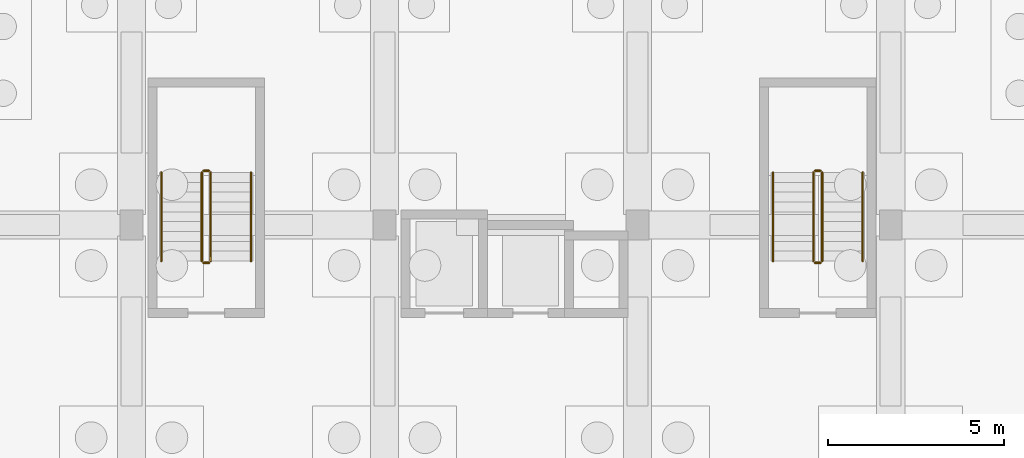
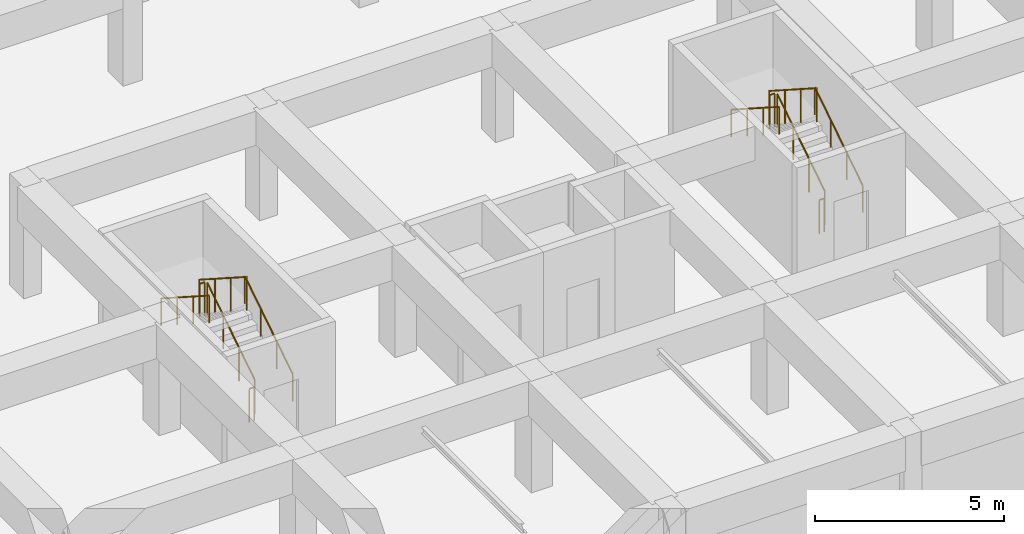
# One storey, part 34 of 36: 12 railings.
"""IFC4 building model written with IfcOpenShell, lengths in metres."""

from ifc_helpers import new_model, si_unit, direction, frame, origin, origin_2d, place, context, subcontext, project, spatial, circle, extrude, material, type_object, element, save


model = new_model("IFC4")

# Units and contexts
model_context = context("Model", 3, precision=1e-05, world=origin(), true_north=direction((0.0, 1.0)))
body_context = subcontext(model_context, "Body", "Model", "MODEL_VIEW")
ifc_project = project(units=[si_unit("LENGTHUNIT", "METRE"), si_unit("AREAUNIT", "SQUARE_METRE"), si_unit("VOLUMEUNIT", "CUBIC_METRE"), si_unit("PLANEANGLEUNIT", "RADIAN"), si_unit("MASSUNIT", "GRAM", prefix="KILO")], contexts=[model_context])

# Site, building, storey
site_placement = place(None, origin())
site = spatial("IfcSite", under=ifc_project, at=site_placement, CompositionType="ELEMENT")
building_placement = place(site_placement, origin())
building = spatial("IfcBuilding", under=site, at=building_placement, Name="Ochrevale Crest", CompositionType="ELEMENT")
storey_placement = place(building_placement, frame((0.0, 0.0, -3.60009765625)))
storey = spatial("IfcBuildingStorey", under=building, at=storey_placement, Name="B1", CompositionType="ELEMENT", Elevation=-3.60009765625)

# Railings
ifc_material_1 = material(Name="Galvanised steel", Category="steel")
railing_type_1 = type_object("IfcRailingType", Name="RL-ST-GUARD", PredefinedType="BALUSTRADE", material=ifc_material_1)
railing_1_placement = place(storey_placement, frame((139.050048828125, 27.77490234375, 0.18017578125)))
element("IfcRailing", 1, at=railing_1_placement, inside=storey, type_object=railing_type_1, Name="B1 ST-C1 stair guard 1", PredefinedType="BALUSTRADE", context=body_context, shape_type="SweptSolid", body=[
    extrude(circle(Radius=0.02392578125, at=origin_2d()), frame((0.0, 0.0, 1.076171875), z_axis=(0.0, 0.841199657755, 0.540724639528), x_axis=(-1.0, 0.0, 0.0)), (0.0, 0.0, 1.0), 2.995849609375),
    extrude(circle(Radius=0.02099609375, at=origin_2d()), origin(), (0.0, 0.0, 1.0), 1.052001953125),
    extrude(circle(Radius=0.02099609375, at=origin_2d()), frame((0.0, 0.840087890625, 0.5400390625)), (0.0, 0.0, 1.0), 1.052001953125),
    extrude(circle(Radius=0.02099609375, at=origin_2d()), frame((0.0, 1.679931640625, 1.079833984375)), (0.0, 0.0, 1.0), 1.052001953125),
    extrude(circle(Radius=0.02099609375, at=origin_2d()), frame((0.0, 2.52001953125, 1.619873046875)), (0.0, 0.0, 1.0), 1.052001953125),
])
railing_2_placement = place(storey_placement, frame((139.0, 30.344970703125, 1.800048828125)))
element("IfcRailing", 2, at=railing_2_placement, inside=storey, type_object=railing_type_1, Name="B1 ST-C1 stair guard 2", PredefinedType="BALUSTRADE", context=body_context, shape_type="SweptSolid", body=[
    extrude(circle(Radius=0.02392578125, at=origin_2d()), frame((0.0, 0.0, 1.076171875), z_axis=(-1.0, 0.0, 0.0), x_axis=(0.0, -1.0, 0.0)), (0.0, 0.0, 1.0), 0.14990234375),
    extrude(circle(Radius=0.02099609375, at=origin_2d()), origin(), (0.0, 0.0, 1.0), 1.052001953125),
    extrude(circle(Radius=0.02099609375, at=origin_2d()), frame((-0.14990234375, 0.0, 0.0)), (0.0, 0.0, 1.0), 1.052001953125),
])
railing_3_placement = place(storey_placement, frame((138.800048828125, 30.294921875, 1.97998046875)))
element("IfcRailing", 3, at=railing_3_placement, inside=storey, type_object=railing_type_1, Name="B1 ST-C1 stair guard 3", PredefinedType="BALUSTRADE", context=body_context, shape_type="SweptSolid", body=[
    extrude(circle(Radius=0.02392578125, at=origin_2d()), frame((0.0, 0.0, 1.076171875), z_axis=(0.0, -0.841162588446, 0.540782303519), x_axis=(1.0, 0.0, 0.0)), (0.0, 0.0, 1.0), 2.995849609375),
    extrude(circle(Radius=0.02099609375, at=origin_2d()), origin(), (0.0, 0.0, 1.0), 1.052001953125),
    extrude(circle(Radius=0.02099609375, at=origin_2d()), frame((0.0, -0.840087890625, 0.5400390625)), (0.0, 0.0, 1.0), 1.052001953125),
    extrude(circle(Radius=0.02099609375, at=origin_2d()), frame((0.0, -1.679931640625, 1.080078125)), (0.0, 0.0, 1.0), 1.052001953125),
    extrude(circle(Radius=0.02099609375, at=origin_2d()), frame((0.0, -2.52001953125, 1.6201171875)), (0.0, 0.0, 1.0), 1.052001953125),
])
railing_4_placement = place(storey_placement, frame((139.0, 27.72509765625, 0.0)))
element("IfcRailing", 4, at=railing_4_placement, inside=storey, type_object=railing_type_1, Name="B1 ST-C1 stair guard 4", PredefinedType="BALUSTRADE", context=body_context, shape_type="SweptSolid", body=[
    extrude(circle(Radius=0.02392578125, at=origin_2d()), frame((0.0, 0.0, 1.076171875), z_axis=(-1.0, 0.0, 0.0), x_axis=(0.0, -1.0, 0.0)), (0.0, 0.0, 1.0), 0.14990234375),
    extrude(circle(Radius=0.02099609375, at=origin_2d()), origin(), (0.0, 0.0, 1.0), 1.052001953125),
    extrude(circle(Radius=0.02099609375, at=origin_2d()), frame((-0.14990234375, 0.0, 0.0)), (0.0, 0.0, 1.0), 1.052001953125),
])
railing_5_placement = place(storey_placement, frame((156.449951171875, 27.77490234375, 0.18017578125)))
element("IfcRailing", 5, at=railing_5_placement, inside=storey, type_object=railing_type_1, Name="B1 ST-C2 stair guard 1", PredefinedType="BALUSTRADE", context=body_context, shape_type="SweptSolid", body=[
    extrude(circle(Radius=0.02392578125, at=origin_2d()), frame((0.0, 0.0, 1.076171875), z_axis=(0.0, 0.841199657755, 0.540724639528), x_axis=(-1.0, 0.0, 0.0)), (0.0, 0.0, 1.0), 2.995849609375),
    extrude(circle(Radius=0.02099609375, at=origin_2d()), origin(), (0.0, 0.0, 1.0), 1.052001953125),
    extrude(circle(Radius=0.02099609375, at=origin_2d()), frame((0.0, 0.840087890625, 0.5400390625)), (0.0, 0.0, 1.0), 1.052001953125),
    extrude(circle(Radius=0.02099609375, at=origin_2d()), frame((0.0, 1.679931640625, 1.079833984375)), (0.0, 0.0, 1.0), 1.052001953125),
    extrude(circle(Radius=0.02099609375, at=origin_2d()), frame((0.0, 2.52001953125, 1.619873046875)), (0.0, 0.0, 1.0), 1.052001953125),
])
railing_6_placement = place(storey_placement, frame((156.39990234375, 30.344970703125, 1.800048828125)))
element("IfcRailing", 6, at=railing_6_placement, inside=storey, type_object=railing_type_1, Name="B1 ST-C2 stair guard 2", PredefinedType="BALUSTRADE", context=body_context, shape_type="SweptSolid", body=[
    extrude(circle(Radius=0.02392578125, at=origin_2d()), frame((0.0, 0.0, 1.076171875), z_axis=(-1.0, 0.0, 0.0), x_axis=(0.0, -1.0, 0.0)), (0.0, 0.0, 1.0), 0.14990234375),
    extrude(circle(Radius=0.02099609375, at=origin_2d()), origin(), (0.0, 0.0, 1.0), 1.052001953125),
    extrude(circle(Radius=0.02099609375, at=origin_2d()), frame((-0.14990234375, 0.0, 0.0)), (0.0, 0.0, 1.0), 1.052001953125),
])
railing_7_placement = place(storey_placement, frame((156.199951171875, 30.294921875, 1.97998046875)))
element("IfcRailing", 7, at=railing_7_placement, inside=storey, type_object=railing_type_1, Name="B1 ST-C2 stair guard 3", PredefinedType="BALUSTRADE", context=body_context, shape_type="SweptSolid", body=[
    extrude(circle(Radius=0.02392578125, at=origin_2d()), frame((0.0, 0.0, 1.076171875), z_axis=(0.0, -0.841162588446, 0.540782303519), x_axis=(1.0, 0.0, 0.0)), (0.0, 0.0, 1.0), 2.995849609375),
    extrude(circle(Radius=0.02099609375, at=origin_2d()), origin(), (0.0, 0.0, 1.0), 1.052001953125),
    extrude(circle(Radius=0.02099609375, at=origin_2d()), frame((0.0, -0.840087890625, 0.5400390625)), (0.0, 0.0, 1.0), 1.052001953125),
    extrude(circle(Radius=0.02099609375, at=origin_2d()), frame((0.0, -1.679931640625, 1.080078125)), (0.0, 0.0, 1.0), 1.052001953125),
    extrude(circle(Radius=0.02099609375, at=origin_2d()), frame((0.0, -2.52001953125, 1.6201171875)), (0.0, 0.0, 1.0), 1.052001953125),
])
railing_8_placement = place(storey_placement, frame((156.39990234375, 27.72509765625, 0.0)))
element("IfcRailing", 8, at=railing_8_placement, inside=storey, type_object=railing_type_1, Name="B1 ST-C2 stair guard 4", PredefinedType="BALUSTRADE", context=body_context, shape_type="SweptSolid", body=[
    extrude(circle(Radius=0.02392578125, at=origin_2d()), frame((0.0, 0.0, 1.076171875), z_axis=(-1.0, 0.0, 0.0), x_axis=(0.0, -1.0, 0.0)), (0.0, 0.0, 1.0), 0.14990234375),
    extrude(circle(Radius=0.02099609375, at=origin_2d()), origin(), (0.0, 0.0, 1.0), 1.052001953125),
    extrude(circle(Radius=0.02099609375, at=origin_2d()), frame((-0.14990234375, 0.0, 0.0)), (0.0, 0.0, 1.0), 1.052001953125),
])
ifc_material_2 = material(Name="Stainless steel", Category="steel")
railing_type_2 = type_object("IfcRailingType", Name="RL-ST-HRAIL", PredefinedType="HANDRAIL", material=ifc_material_2)
railing_9_placement = place(storey_placement, frame((140.199951171875, 27.77490234375, 0.18017578125)))
element("IfcRailing", 9, at=railing_9_placement, inside=storey, type_object=railing_type_2, Name="B1 ST-C1 stair handrail 1", PredefinedType="HANDRAIL", context=body_context, shape_type="SweptSolid", body=[
    extrude(circle(Radius=0.02392578125, at=origin_2d()), frame((0.0, 0.0, 0.8759765625), z_axis=(0.0, 0.841199657755, 0.540724639528), x_axis=(-1.0, 0.0, 0.0)), (0.0, 0.0, 1.0), 2.995849609375),
    extrude(circle(Radius=0.02099609375, at=origin_2d()), origin(), (0.0, 0.0, 1.0), 0.851806640625),
    extrude(circle(Radius=0.02099609375, at=origin_2d()), frame((0.0, 0.840087890625, 0.5400390625)), (0.0, 0.0, 1.0), 0.851806640625),
    extrude(circle(Radius=0.02099609375, at=origin_2d()), frame((0.0, 1.679931640625, 1.079833984375)), (0.0, 0.0, 1.0), 0.851806640625),
    extrude(circle(Radius=0.02099609375, at=origin_2d()), frame((0.0, 2.52001953125, 1.619873046875)), (0.0, 0.0, 1.0), 0.851806640625),
])
railing_10_placement = place(storey_placement, frame((137.64990234375, 30.294921875, 1.97998046875)))
element("IfcRailing", 10, at=railing_10_placement, inside=storey, type_object=railing_type_2, Name="B1 ST-C1 stair handrail 2", PredefinedType="HANDRAIL", context=body_context, shape_type="SweptSolid", body=[
    extrude(circle(Radius=0.02392578125, at=origin_2d()), frame((0.0, 0.0, 0.8759765625), z_axis=(0.0, -0.841162588446, 0.540782303519), x_axis=(1.0, 0.0, 0.0)), (0.0, 0.0, 1.0), 2.995849609375),
    extrude(circle(Radius=0.02099609375, at=origin_2d()), origin(), (0.0, 0.0, 1.0), 0.851806640625),
    extrude(circle(Radius=0.02099609375, at=origin_2d()), frame((0.0, -0.840087890625, 0.5400390625)), (0.0, 0.0, 1.0), 0.851806640625),
    extrude(circle(Radius=0.02099609375, at=origin_2d()), frame((0.0, -1.679931640625, 1.080078125)), (0.0, 0.0, 1.0), 0.851806640625),
    extrude(circle(Radius=0.02099609375, at=origin_2d()), frame((0.0, -2.52001953125, 1.6201171875)), (0.0, 0.0, 1.0), 0.851806640625),
])
railing_11_placement = place(storey_placement, frame((157.60009765625, 27.77490234375, 0.18017578125)))
element("IfcRailing", 11, at=railing_11_placement, inside=storey, type_object=railing_type_2, Name="B1 ST-C2 stair handrail 1", PredefinedType="HANDRAIL", context=body_context, shape_type="SweptSolid", body=[
    extrude(circle(Radius=0.02392578125, at=origin_2d()), frame((0.0, 0.0, 0.8759765625), z_axis=(0.0, 0.841199657755, 0.540724639528), x_axis=(-1.0, 0.0, 0.0)), (0.0, 0.0, 1.0), 2.995849609375),
    extrude(circle(Radius=0.02099609375, at=origin_2d()), origin(), (0.0, 0.0, 1.0), 0.851806640625),
    extrude(circle(Radius=0.02099609375, at=origin_2d()), frame((0.0, 0.840087890625, 0.5400390625)), (0.0, 0.0, 1.0), 0.851806640625),
    extrude(circle(Radius=0.02099609375, at=origin_2d()), frame((0.0, 1.679931640625, 1.079833984375)), (0.0, 0.0, 1.0), 0.851806640625),
    extrude(circle(Radius=0.02099609375, at=origin_2d()), frame((0.0, 2.52001953125, 1.619873046875)), (0.0, 0.0, 1.0), 0.851806640625),
])
railing_12_placement = place(storey_placement, frame((155.050048828125, 30.294921875, 1.97998046875)))
element("IfcRailing", 12, at=railing_12_placement, inside=storey, type_object=railing_type_2, Name="B1 ST-C2 stair handrail 2", PredefinedType="HANDRAIL", context=body_context, shape_type="SweptSolid", body=[
    extrude(circle(Radius=0.02392578125, at=origin_2d()), frame((0.0, 0.0, 0.8759765625), z_axis=(0.0, -0.841162588446, 0.540782303519), x_axis=(1.0, 0.0, 0.0)), (0.0, 0.0, 1.0), 2.995849609375),
    extrude(circle(Radius=0.02099609375, at=origin_2d()), origin(), (0.0, 0.0, 1.0), 0.851806640625),
    extrude(circle(Radius=0.02099609375, at=origin_2d()), frame((0.0, -0.840087890625, 0.5400390625)), (0.0, 0.0, 1.0), 0.851806640625),
    extrude(circle(Radius=0.02099609375, at=origin_2d()), frame((0.0, -1.679931640625, 1.080078125)), (0.0, 0.0, 1.0), 0.851806640625),
    extrude(circle(Radius=0.02099609375, at=origin_2d()), frame((0.0, -2.52001953125, 1.6201171875)), (0.0, 0.0, 1.0), 0.851806640625),
])

save(model, "model.ifc")
